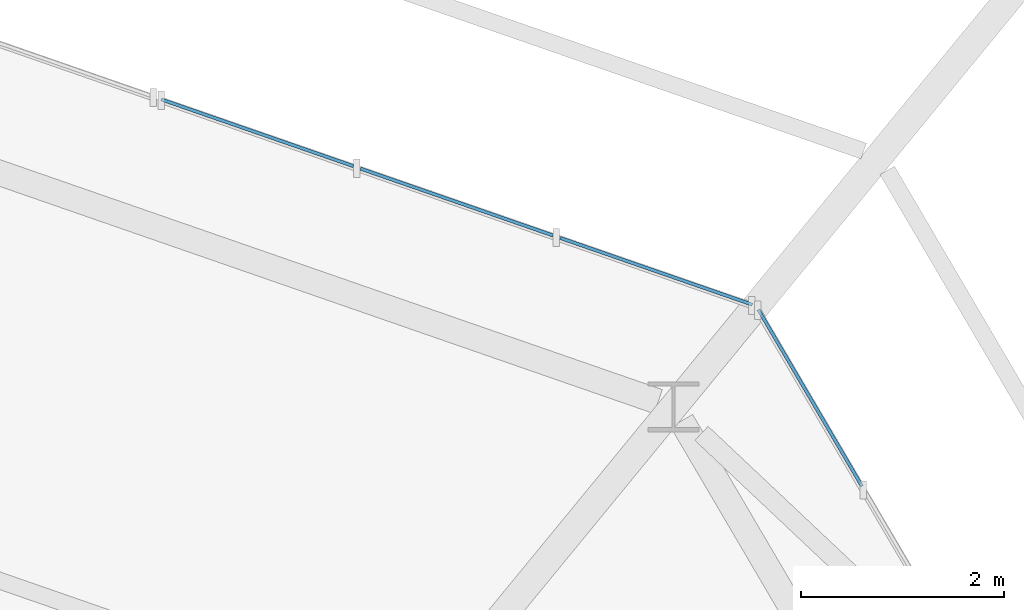
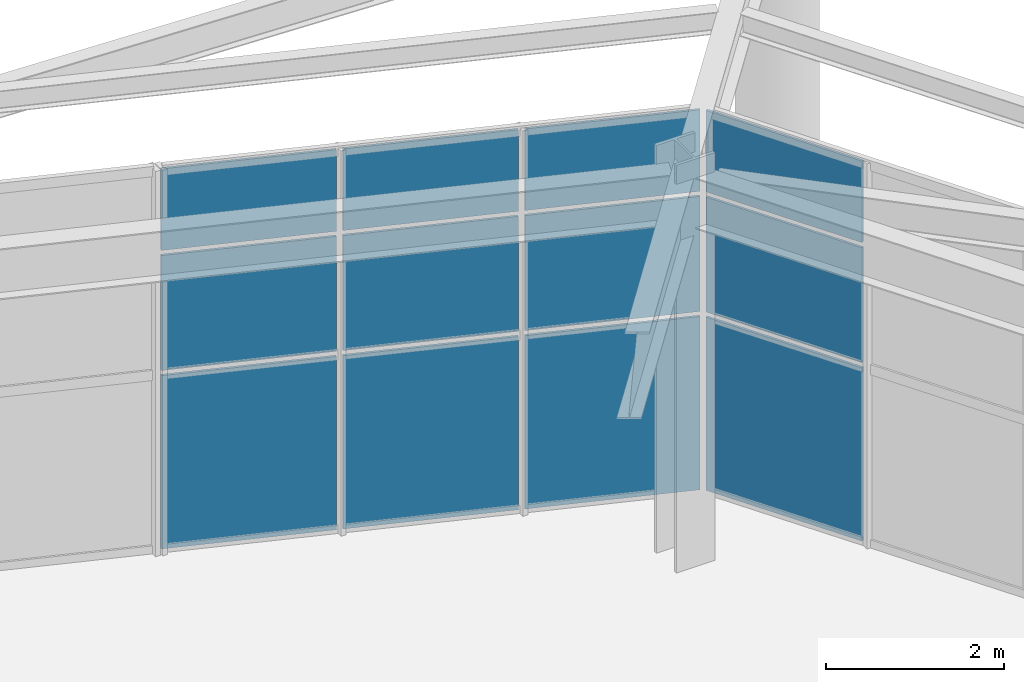
# One storey, part 40 of 70: 12 plates, 2 elements without a shape of their own.
"""IFC4 building model written with IfcOpenShell, lengths in metres."""

from ifc_helpers import new_model, si_unit, direction, frame, origin, origin_2d, place, context, subcontext, project, spatial, rectangle, extrude, material, layer, layer_set, type_object, element, aggregate, save


model = new_model("IFC4")

# Units and contexts
model_context = context("Model", 3, precision=1e-05, world=origin(), true_north=direction((0.0, 1.0)))
body_context = subcontext(model_context, "Body", "Model", "MODEL_VIEW")
ifc_project = project(units=[si_unit("LENGTHUNIT", "METRE"), si_unit("AREAUNIT", "SQUARE_METRE"), si_unit("VOLUMEUNIT", "CUBIC_METRE"), si_unit("PLANEANGLEUNIT", "RADIAN"), si_unit("MASSUNIT", "GRAM", prefix="KILO")], contexts=[model_context])

# Site, building, storey
site_placement = place(None, origin())
site = spatial("IfcSite", under=ifc_project, at=site_placement, CompositionType="ELEMENT")
building_placement = place(site_placement, origin())
building = spatial("IfcBuilding", under=site, at=building_placement, Name="Sarnbrook Museum", CompositionType="ELEMENT")
storey_placement = place(building_placement, origin())
storey = spatial("IfcBuildingStorey", under=building, at=storey_placement, Name="L00", CompositionType="ELEMENT", Elevation=0.0)

# Curtain wall, plates
ifc_material_1 = material(Name="Thermally Broken Anodised Aluminium 6063-T6", Category="aluminium")
curtain_wall_type = type_object("IfcCurtainWallType", Name="CurtainWall_Colonnade", PredefinedType="NOTDEFINED", material=ifc_material_1)
curtain_wall_1_placement = place(storey_placement, origin())
curtain_wall_1 = element("IfcCurtainWall", 1, at=curtain_wall_1_placement, inside=storey, type_object=curtain_wall_type, Name="Colonnade Recessed Glazing L00-F4.3", PredefinedType="NOTDEFINED")
ifc_material_2 = material(Name="Double-Glazed Low-Iron Laminated Safety Glass", Category="glass")
ifc_layer = layer(ifc_material_2, 0.031982421875)
ifc_layer_set = layer_set([ifc_layer], Name="Double-Glazed Low-Iron Laminated Safety Glass")
plate_type = type_object("IfcPlateType", Name="CW_GlazedPanel_32", PredefinedType="CURTAIN_PANEL", material=ifc_layer_set)
plate_1_placement = place(storey_placement, frame((154.878662109375, 102.7373046875, 1.22509765625), z_axis=(0.862498293832, 0.506059969901, 0.0), x_axis=(-0.506059969901, 0.862498293832, 0.0)))
plate_1 = element("IfcPlate", 2, at=plate_1_placement, type_object=plate_type, Name="Colonnade Recessed Glazing L00-F4.3 Glazed Panel 3-1", PredefinedType="CURTAIN_PANEL", context=body_context, shape_type="SweptSolid", body=[
    extrude(rectangle(XDim=2.02197265625, YDim=2.3798828125, at=origin_2d()), origin(), (0.0, 0.0, 1.0), 0.031982421875),
])
plate_2_placement = place(storey_placement, frame((154.878662109375, 102.7373046875, 3.27490234375), z_axis=(0.862498293832, 0.506059969901, 0.0), x_axis=(-0.506059969901, 0.862498293832, 0.0)))
plate_2 = element("IfcPlate", 3, at=plate_2_placement, type_object=plate_type, Name="Colonnade Recessed Glazing L00-F4.3 Glazed Panel 3-2", PredefinedType="CURTAIN_PANEL", context=body_context, shape_type="SweptSolid", body=[
    extrude(rectangle(XDim=2.02197265625, YDim=1.580078125, at=origin_2d()), origin(), (0.0, 0.0, 1.0), 0.031982421875),
])
plate_3_placement = place(storey_placement, frame((154.878662109375, 102.7373046875, 4.695068359375), z_axis=(0.862498293832, 0.506059969901, 0.0), x_axis=(-0.506059969901, 0.862498293832, 0.0)))
plate_3 = element("IfcPlate", 4, at=plate_3_placement, type_object=plate_type, Name="Colonnade Recessed Glazing L00-F4.3 Glazed Panel 3-3", PredefinedType="CURTAIN_PANEL", context=body_context, shape_type="SweptSolid", body=[
    extrude(rectangle(XDim=2.02197265625, YDim=1.1201171875, at=origin_2d()), origin(), (0.0, 0.0, 1.0), 0.031982421875),
])
aggregate(curtain_wall_1, [plate_1, plate_2, plate_3])

curtain_wall_2_placement = place(storey_placement, origin())
curtain_wall_2 = element("IfcCurtainWall", 5, at=curtain_wall_2_placement, inside=storey, type_object=curtain_wall_type, Name="Colonnade Recessed Glazing L00-F5.1", PredefinedType="NOTDEFINED")
plate_4_placement = place(storey_placement, frame((153.368408203125, 103.979736328125, 1.22509765625), z_axis=(0.328011887147, 0.944673595423, 0.0), x_axis=(-0.944673595423, 0.328011887147, 0.0)))
plate_4 = element("IfcPlate", 6, at=plate_4_placement, type_object=plate_type, Name="Colonnade Recessed Glazing L00-F5.1 Glazed Panel 1-1", PredefinedType="CURTAIN_PANEL", context=body_context, shape_type="SweptSolid", body=[
    extrude(rectangle(XDim=2.00830078125, YDim=2.3798828125, at=origin_2d()), origin(), (0.0, 0.0, 1.0), 0.031982421875),
])
plate_5_placement = place(storey_placement, frame((153.368408203125, 103.979736328125, 3.27490234375), z_axis=(0.328011887147, 0.944673595423, 0.0), x_axis=(-0.944673595423, 0.328011887147, 0.0)))
plate_5 = element("IfcPlate", 7, at=plate_5_placement, type_object=plate_type, Name="Colonnade Recessed Glazing L00-F5.1 Glazed Panel 1-2", PredefinedType="CURTAIN_PANEL", context=body_context, shape_type="SweptSolid", body=[
    extrude(rectangle(XDim=2.00830078125, YDim=1.580078125, at=origin_2d()), origin(), (0.0, 0.0, 1.0), 0.031982421875),
])
plate_6_placement = place(storey_placement, frame((153.368408203125, 103.979736328125, 4.695068359375), z_axis=(0.328011887147, 0.944673595423, 0.0), x_axis=(-0.944673595423, 0.328011887147, 0.0)))
plate_6 = element("IfcPlate", 8, at=plate_6_placement, type_object=plate_type, Name="Colonnade Recessed Glazing L00-F5.1 Glazed Panel 1-3", PredefinedType="CURTAIN_PANEL", context=body_context, shape_type="SweptSolid", body=[
    extrude(rectangle(XDim=2.00830078125, YDim=1.1201171875, at=origin_2d()), origin(), (0.0, 0.0, 1.0), 0.031982421875),
])
plate_7_placement = place(storey_placement, frame((151.400390625, 104.662841796875, 1.22509765625), z_axis=(0.328011887147, 0.944673595423, 0.0), x_axis=(-0.944673595423, 0.328011887147, 0.0)))
plate_7 = element("IfcPlate", 9, at=plate_7_placement, type_object=plate_type, Name="Colonnade Recessed Glazing L00-F5.1 Glazed Panel 2-1", PredefinedType="CURTAIN_PANEL", context=body_context, shape_type="SweptSolid", body=[
    extrude(rectangle(XDim=2.00830078125, YDim=2.3798828125, at=origin_2d()), origin(), (0.0, 0.0, 1.0), 0.031982421875),
])
plate_8_placement = place(storey_placement, frame((151.400390625, 104.662841796875, 3.27490234375), z_axis=(0.328011887147, 0.944673595423, 0.0), x_axis=(-0.944673595423, 0.328011887147, 0.0)))
plate_8 = element("IfcPlate", 10, at=plate_8_placement, type_object=plate_type, Name="Colonnade Recessed Glazing L00-F5.1 Glazed Panel 2-2", PredefinedType="CURTAIN_PANEL", context=body_context, shape_type="SweptSolid", body=[
    extrude(rectangle(XDim=2.00830078125, YDim=1.580078125, at=origin_2d()), origin(), (0.0, 0.0, 1.0), 0.031982421875),
])
plate_9_placement = place(storey_placement, frame((151.400390625, 104.662841796875, 4.695068359375), z_axis=(0.328011887147, 0.944673595423, 0.0), x_axis=(-0.944673595423, 0.328011887147, 0.0)))
plate_9 = element("IfcPlate", 11, at=plate_9_placement, type_object=plate_type, Name="Colonnade Recessed Glazing L00-F5.1 Glazed Panel 2-3", PredefinedType="CURTAIN_PANEL", context=body_context, shape_type="SweptSolid", body=[
    extrude(rectangle(XDim=2.00830078125, YDim=1.1201171875, at=origin_2d()), origin(), (0.0, 0.0, 1.0), 0.031982421875),
])
plate_10_placement = place(storey_placement, frame((149.432373046875, 105.346435546875, 1.22509765625), z_axis=(0.328011887147, 0.944673595423, 0.0), x_axis=(-0.944673595423, 0.328011887147, 0.0)))
plate_10 = element("IfcPlate", 12, at=plate_10_placement, type_object=plate_type, Name="Colonnade Recessed Glazing L00-F5.1 Glazed Panel 3-1", PredefinedType="CURTAIN_PANEL", context=body_context, shape_type="SweptSolid", body=[
    extrude(rectangle(XDim=2.00830078125, YDim=2.3798828125, at=origin_2d()), origin(), (0.0, 0.0, 1.0), 0.031982421875),
])
plate_11_placement = place(storey_placement, frame((149.432373046875, 105.346435546875, 3.27490234375), z_axis=(0.328011887147, 0.944673595423, 0.0), x_axis=(-0.944673595423, 0.328011887147, 0.0)))
plate_11 = element("IfcPlate", 13, at=plate_11_placement, type_object=plate_type, Name="Colonnade Recessed Glazing L00-F5.1 Glazed Panel 3-2", PredefinedType="CURTAIN_PANEL", context=body_context, shape_type="SweptSolid", body=[
    extrude(rectangle(XDim=2.00830078125, YDim=1.580078125, at=origin_2d()), origin(), (0.0, 0.0, 1.0), 0.031982421875),
])
plate_12_placement = place(storey_placement, frame((149.432373046875, 105.346435546875, 4.695068359375), z_axis=(0.328011887147, 0.944673595423, 0.0), x_axis=(-0.944673595423, 0.328011887147, 0.0)))
plate_12 = element("IfcPlate", 14, at=plate_12_placement, type_object=plate_type, Name="Colonnade Recessed Glazing L00-F5.1 Glazed Panel 3-3", PredefinedType="CURTAIN_PANEL", context=body_context, shape_type="SweptSolid", body=[
    extrude(rectangle(XDim=2.00830078125, YDim=1.1201171875, at=origin_2d()), origin(), (0.0, 0.0, 1.0), 0.031982421875),
])
aggregate(curtain_wall_2, [plate_4, plate_5, plate_6, plate_7, plate_8, plate_9, plate_10, plate_11, plate_12])

save(model, "model.ifc")
